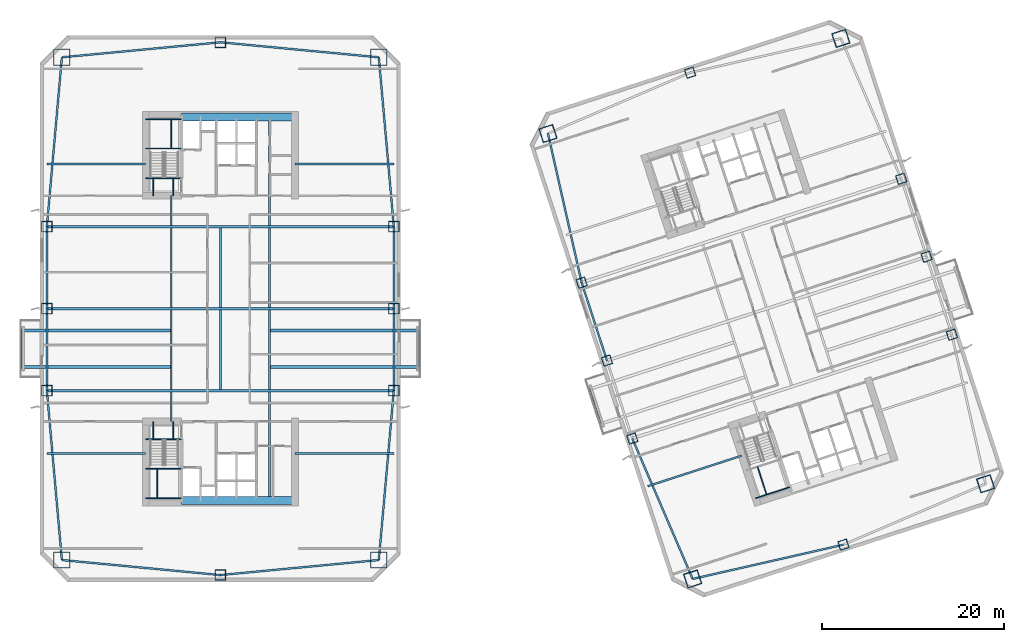
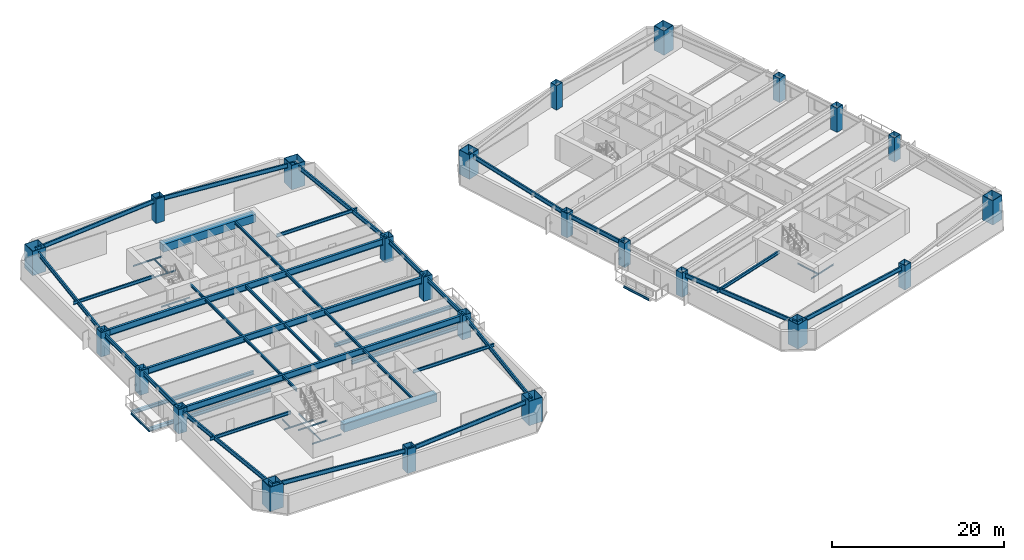
# One storey, part 1 of 18: 57 beams, 24 columns.
"""IFC4 building model written with IfcOpenShell, lengths in metres."""

from ifc_helpers import new_model, si_unit, direction, frame, origin, origin_2d, place, context, subcontext, project, spatial, rectangle, hollow_rectangle, i_section, extrude, material, material_profile, profile_set, type_object, element, save


model = new_model("IFC4")

# Units and contexts
model_context = context("Model", 3, precision=1e-05, world=origin(), true_north=direction((0.0, 1.0)))
body_context = subcontext(model_context, "Body", "Model", "MODEL_VIEW")
ifc_project = project(units=[si_unit("LENGTHUNIT", "METRE"), si_unit("AREAUNIT", "SQUARE_METRE"), si_unit("VOLUMEUNIT", "CUBIC_METRE"), si_unit("PLANEANGLEUNIT", "RADIAN"), si_unit("MASSUNIT", "GRAM", prefix="KILO")], contexts=[model_context])

# Site, building, storey
site_placement = place(None, origin())
site = spatial("IfcSite", under=ifc_project, at=site_placement, CompositionType="ELEMENT")
building_placement = place(site_placement, origin())
building = spatial("IfcBuilding", under=site, at=building_placement, Name="Qiaolan Cultural Towers", CompositionType="ELEMENT")
storey_placement = place(building_placement, frame((0.0, 0.0, 67.85009765625)))
storey = spatial("IfcBuildingStorey", under=building, at=storey_placement, Name="L16", CompositionType="ELEMENT", Elevation=67.85009765625)

# Columns
ifc_material_1 = material(Name="Steel Q355B", Category="steel")
ifc_material_profile_1 = material_profile(ifc_material_1, hollow_rectangle(XDim=1.0, YDim=1.0, WallThickness=0.035888671875, at=origin_2d()), Name="BOX1000x1000x36")
ifc_profile_set_1 = profile_set([ifc_material_profile_1], Name="Steel Q355B")
column_type_1 = type_object("IfcColumnType", Name="COL-BOX1000x1000x36", PredefinedType="COLUMN", material=ifc_profile_set_1)
for number, where, z_axis, x_axis, name in (
    (1, (75.234130859375, 19.739013671875, 0.0), (0.0, 0.0, 1.0), (0.951056516295, 0.309016994375, 0.0), "L16 T2 Perimeter Column PC-W1"),
    (2, (72.453125, 28.298583984375, 0.0), (0.0, 0.0, 1.0), (0.951056516295, 0.309016994375, 0.0), "L16 T2 Perimeter Column PC-W2"),
    (3, (69.671875, 36.858154296875, 0.0), (0.0, 0.0, 1.0), (0.951056516295, 0.309016994375, 0.0), "L16 T2 Perimeter Column PC-W3"),
    (4, (110.328125, 31.141845703125, 0.0), (0.0, 0.0, 1.0), (0.951056516295, 0.309016994375, 0.0), "L16 T2 Perimeter Column PC-E1"),
    (5, (107.546875, 39.701416015625, 0.0), (0.0, 0.0, 1.0), (0.951056516295, 0.309016994375, 0.0), "L16 T2 Perimeter Column PC-E2"),
    (6, (104.765869140625, 48.260986328125, 0.0), (0.0, 0.0, 1.0), (0.951056516295, 0.309016994375, 0.0), "L16 T2 Perimeter Column PC-E3"),
    (7, (98.420654296875, 8.083740234375, 0.0), (0.0, 0.0, 1.0), (0.951056516295, 0.309016994375, 0.0), "L16 T2 Perimeter Column PC-S0"),
    (8, (81.579345703125, 59.916259765625, 0.0), (0.0, 0.0, 1.0), (0.951056516295, 0.309016994375, 0.0), "L16 T2 Perimeter Column PC-N0"),
):
    element("IfcColumn", number, at=place(storey_placement, frame(where, z_axis=z_axis, x_axis=x_axis)), inside=storey, type_object=column_type_1, Name=name, PredefinedType="COLUMN", context=body_context, shape_type="SweptSolid", body=[
        extrude(hollow_rectangle(XDim=1.0, YDim=1.0, WallThickness=0.035888671875, at=origin_2d()), origin(), (0.0, 0.0, 1.0), 3.450927734375),
    ])
ifc_material_2 = material(Name="Steel Q390GJB", Category="steel")
ifc_material_profile_2 = material_profile(ifc_material_2, hollow_rectangle(XDim=1.14990234375, YDim=1.14990234375, WallThickness=0.0400390625, at=origin_2d()), Name="BOX1150x1150x40")
ifc_profile_set_2 = profile_set([ifc_material_profile_2], Name="Steel Q390GJB")
column_type_2 = type_object("IfcColumnType", Name="COL-BOX1150x1150x40", PredefinedType="COLUMN", material=ifc_profile_set_2)
for number, where, z_axis, x_axis, name in (
    (9, (10.949951171875, 25.0, 0.0), (0.0, 0.0, 1.0), (1.0, 0.0, 0.0), "L16 T1 Perimeter Column PC-W1"),
    (10, (10.949951171875, 34.0, 0.0), (0.0, 0.0, 1.0), (1.0, 0.0, 0.0), "L16 T1 Perimeter Column PC-W2"),
    (11, (10.949951171875, 43.0, 0.0), (0.0, 0.0, 1.0), (1.0, 0.0, 0.0), "L16 T1 Perimeter Column PC-W3"),
    (12, (49.050048828125, 25.0, 0.0), (0.0, 0.0, 1.0), (1.0, 0.0, 0.0), "L16 T1 Perimeter Column PC-E1"),
    (13, (49.050048828125, 34.0, 0.0), (0.0, 0.0, 1.0), (1.0, 0.0, 0.0), "L16 T1 Perimeter Column PC-E2"),
    (14, (49.050048828125, 43.0, 0.0), (0.0, 0.0, 1.0), (1.0, 0.0, 0.0), "L16 T1 Perimeter Column PC-E3"),
    (15, (30.0, 4.75, 0.0), (0.0, 0.0, 1.0), (1.0, 0.0, 0.0), "L16 T1 Perimeter Column PC-S0"),
    (16, (30.0, 63.25, 0.0), (0.0, 0.0, 1.0), (1.0, 0.0, 0.0), "L16 T1 Perimeter Column PC-N0"),
):
    element("IfcColumn", number, at=place(storey_placement, frame(where, z_axis=z_axis, x_axis=x_axis)), inside=storey, type_object=column_type_2, Name=name, PredefinedType="COLUMN", context=body_context, shape_type="SweptSolid", body=[
        extrude(hollow_rectangle(XDim=1.14990234375, YDim=1.14990234375, WallThickness=0.0400390625, at=origin_2d()), origin(), (0.0, 0.0, 1.0), 3.450927734375),
    ])
ifc_material_3 = material(Name="Steel Q420GJB", Category="steel")
ifc_material_profile_3 = material_profile(ifc_material_3, hollow_rectangle(XDim=1.60009765625, YDim=1.60009765625, WallThickness=0.054931640625, at=origin_2d()), Name="BOX1600x1600x55")
ifc_profile_set_3 = profile_set([ifc_material_profile_3], Name="Steel Q420GJB")
column_type_3 = type_object("IfcColumnType", Name="COL-BOX1600x1600x55", PredefinedType="COLUMN", material=ifc_profile_set_3)
for number, where, z_axis, x_axis, name in (
    (17, (81.862548828125, 4.32275390625, 0.0), (0.0, 0.0, 1.0), (0.951056516295, 0.309016994375, 0.0), "L16 T2 Perimeter Column MC-SW"),
    (18, (114.027099609375, 14.77392578125, 0.0), (0.0, 0.0, 1.0), (0.951056516295, 0.309016994375, 0.0), "L16 T2 Perimeter Column MC-SE"),
    (19, (98.137451171875, 63.67724609375, 0.0), (0.0, 0.0, 1.0), (0.951056516295, 0.309016994375, 0.0), "L16 T2 Perimeter Column MC-NE"),
    (20, (65.972900390625, 53.22607421875, 0.0), (0.0, 0.0, 1.0), (0.951056516295, 0.309016994375, 0.0), "L16 T2 Perimeter Column MC-NW"),
):
    element("IfcColumn", number, at=place(storey_placement, frame(where, z_axis=z_axis, x_axis=x_axis)), inside=storey, type_object=column_type_3, Name=name, PredefinedType="COLUMN", context=body_context, shape_type="SweptSolid", body=[
        extrude(hollow_rectangle(XDim=1.60009765625, YDim=1.60009765625, WallThickness=0.054931640625, at=origin_2d()), origin(), (0.0, 0.0, 1.0), 3.450927734375),
    ])
ifc_material_4 = material(Name="Steel Q420GJB", Category="steel")
ifc_material_profile_4 = material_profile(ifc_material_4, hollow_rectangle(XDim=1.800048828125, YDim=1.800048828125, WallThickness=0.06005859375, at=origin_2d()), Name="BOX1800x1800x60")
ifc_profile_set_4 = profile_set([ifc_material_profile_4], Name="Steel Q420GJB")
column_type_4 = type_object("IfcColumnType", Name="COL-BOX1800x1800x60", PredefinedType="COLUMN", material=ifc_profile_set_4)
for number, where, z_axis, x_axis, name in (
    (21, (12.60009765625, 6.39990234375, 0.0), (0.0, 0.0, 1.0), (1.0, 0.0, 0.0), "L16 T1 Perimeter Column MC-SW"),
    (22, (47.39990234375, 6.39990234375, 0.0), (0.0, 0.0, 1.0), (1.0, 0.0, 0.0), "L16 T1 Perimeter Column MC-SE"),
    (23, (47.39990234375, 61.60009765625, 0.0), (0.0, 0.0, 1.0), (1.0, 0.0, 0.0), "L16 T1 Perimeter Column MC-NE"),
    (24, (12.60009765625, 61.60009765625, 0.0), (0.0, 0.0, 1.0), (1.0, 0.0, 0.0), "L16 T1 Perimeter Column MC-NW"),
):
    element("IfcColumn", number, at=place(storey_placement, frame(where, z_axis=z_axis, x_axis=x_axis)), inside=storey, type_object=column_type_4, Name=name, PredefinedType="COLUMN", context=body_context, shape_type="SweptSolid", body=[
        extrude(hollow_rectangle(XDim=1.800048828125, YDim=1.800048828125, WallThickness=0.06005859375, at=origin_2d()), origin(), (0.0, 0.0, 1.0), 3.450927734375),
    ])

# Beams
ifc_material_5 = material(Name="Steel Q355B", Category="steel")
ifc_material_profile_5 = material_profile(ifc_material_5, i_section(OverallWidth=0.300048828125, OverallDepth=0.488037109375, WebThickness=0.010986328125, FlangeThickness=0.01806640625, at=origin_2d()), Name="HM488x300x11x18")
ifc_profile_set_5 = profile_set([ifc_material_profile_5], Name="Steel Q355B")
beam_type_1 = type_object("IfcBeamType", Name="BM-HM488x300x11x18", PredefinedType="BEAM", material=ifc_profile_set_5)
for number, where, z_axis, x_axis, name in (
    (25, (24.60009765625, 27.60009765625, -0.524169921875), (-1.0, 0.0, 0.0), (0.0, -1.0, 0.0), "L16 T1 Tree Balcony Back-Spanned Bracket Beam"),
    (26, (24.60009765625, 31.60009765625, -0.524169921875), (-1.0, 0.0, 0.0), (0.0, -1.0, 0.0), "L16 T1 Tree Balcony Back-Spanned Bracket Beam"),
    (27, (35.39990234375, 27.60009765625, -0.524169921875), (1.0, 0.0, 0.0), (0.0, 1.0, 0.0), "L16 T1 Tree Balcony Back-Spanned Bracket Beam"),
    (28, (35.39990234375, 31.60009765625, -0.524169921875), (1.0, 0.0, 0.0), (0.0, 1.0, 0.0), "L16 T1 Tree Balcony Back-Spanned Bracket Beam"),
):
    element("IfcBeam", number, at=place(storey_placement, frame(where, z_axis=z_axis, x_axis=x_axis)), inside=storey, type_object=beam_type_1, Name=name, PredefinedType="BEAM", context=body_context, shape_type="SweptSolid", body=[
        extrude(i_section(OverallWidth=0.300048828125, OverallDepth=0.488037109375, WebThickness=0.010986328125, FlangeThickness=0.01806640625, at=origin_2d()), origin(), (0.0, 0.0, 1.0), 16.4501953125),
    ])
ifc_material_6 = material(Name="Steel Q355B", Category="steel")
ifc_material_profile_6 = material_profile(ifc_material_6, i_section(OverallWidth=0.300048828125, OverallDepth=0.89990234375, WebThickness=0.01611328125, FlangeThickness=0.028076171875, at=origin_2d()), Name="HN900x300x16x28")
ifc_profile_set_6 = profile_set([ifc_material_profile_6], Name="Steel Q355B")
beam_type_2 = type_object("IfcBeamType", Name="BM-HN900x300x16x28", PredefinedType="BEAM", material=ifc_profile_set_6)
for number, where, z_axis, x_axis, name in (
    (29, (10.949951171875, 25.0, 2.739990234375), (1.0, 0.0, 0.0), (0.0, 1.0, 0.0), "L16 T1 Primary Transverse Girder V1"),
    (30, (10.949951171875, 34.0, 2.739990234375), (1.0, 0.0, 0.0), (0.0, 1.0, 0.0), "L16 T1 Primary Transverse Girder V2"),
    (31, (10.949951171875, 43.0, 2.739990234375), (1.0, 0.0, 0.0), (0.0, 1.0, 0.0), "L16 T1 Primary Transverse Girder V3"),
):
    element("IfcBeam", number, at=place(storey_placement, frame(where, z_axis=z_axis, x_axis=x_axis)), inside=storey, type_object=beam_type_2, Name=name, PredefinedType="BEAM", context=body_context, shape_type="SweptSolid", body=[
        extrude(i_section(OverallWidth=0.300048828125, OverallDepth=0.89990234375, WebThickness=0.01611328125, FlangeThickness=0.028076171875, at=origin_2d()), origin(), (0.0, 0.0, 1.0), 38.10009765625),
    ])
ifc_material_7 = material(Name="Steel Q355B", Category="steel")
ifc_material_profile_7 = material_profile(ifc_material_7, i_section(OverallWidth=0.175048828125, OverallDepth=0.35009765625, WebThickness=0.007080078125, FlangeThickness=0.010986328125, at=origin_2d()), Name="HN350x175x7x11")
ifc_profile_set_7 = profile_set([ifc_material_profile_7], Name="Steel Q355B")
beam_type_3 = type_object("IfcBeamType", Name="BM-JST-HN350x175x7x11", PredefinedType="JOIST", material=ifc_profile_set_7)
for number, where, z_axis, x_axis, name in (
    (32, (8.14990234375, 27.60009765625, -0.524169921875), (0.0, 1.0, 0.0), (-1.0, 0.0, 0.0), "L16 T1 Tree Balcony Outer Edge Beam"),
    (33, (51.85009765625, 27.60009765625, -0.524169921875), (0.0, 1.0, 0.0), (-1.0, 0.0, 0.0), "L16 T1 Tree Balcony Outer Edge Beam"),
    (34, (71.767822265625, 21.3466796875, -0.524169921875), (-0.309022586479, 0.951054699292, 0.0), (-0.951054699292, -0.309022586479, 0.0), "L16 T2 Tree Balcony Outer Edge Beam"),
):
    element("IfcBeam", number, at=place(storey_placement, frame(where, z_axis=z_axis, x_axis=x_axis)), inside=storey, type_object=beam_type_3, Name=name, PredefinedType="JOIST", context=body_context, shape_type="SweptSolid", body=[
        extrude(i_section(OverallWidth=0.175048828125, OverallDepth=0.35009765625, WebThickness=0.007080078125, FlangeThickness=0.010986328125, at=origin_2d()), origin(), (0.0, 0.0, 1.0), 4.0),
    ])
ifc_material_8 = material(Name="Steel Q355B", Category="steel")
ifc_material_profile_8 = material_profile(ifc_material_8, i_section(OverallWidth=0.199951171875, OverallDepth=0.39990234375, WebThickness=0.008056640625, FlangeThickness=0.012939453125, at=origin_2d()), Name="HN400x200x8x13")
ifc_profile_set_8 = profile_set([ifc_material_profile_8], Name="Steel Q355B")
beam_type_4 = type_object("IfcBeamType", Name="BM-JST-HN400x200x8x13", PredefinedType="JOIST", material=ifc_profile_set_8)
beam_1_placement = place(storey_placement, frame((24.60009765625, 21.60009765625, 2.989990234375), z_axis=(0.0, 1.0, 0.0), x_axis=(-1.0, 0.0, 0.0)))
element("IfcBeam", 35, at=beam_1_placement, inside=storey, type_object=beam_type_4, Name="L16 T1 Secondary Floor Joist U1-1", PredefinedType="JOIST", context=body_context, shape_type="SweptSolid", body=[
    extrude(i_section(OverallWidth=0.199951171875, OverallDepth=0.39990234375, WebThickness=0.008056640625, FlangeThickness=0.012939453125, at=origin_2d()), origin(), (0.0, 0.0, 1.0), 3.25),
])
for number, where, z_axis, x_axis, name in (
    (36, (24.60009765625, 25.14990234375, 2.989990234375), (0.0, 1.0, 0.0), (-1.0, 0.0, 0.0), "L16 T1 Secondary Floor Joist U1-2"),
    (37, (24.60009765625, 34.14990234375, 2.989990234375), (0.0, 1.0, 0.0), (-1.0, 0.0, 0.0), "L16 T1 Secondary Floor Joist U1-3"),
):
    element("IfcBeam", number, at=place(storey_placement, frame(where, z_axis=z_axis, x_axis=x_axis)), inside=storey, type_object=beam_type_4, Name=name, PredefinedType="JOIST", context=body_context, shape_type="SweptSolid", body=[
        extrude(i_section(OverallWidth=0.199951171875, OverallDepth=0.39990234375, WebThickness=0.008056640625, FlangeThickness=0.012939453125, at=origin_2d()), origin(), (0.0, 0.0, 1.0), 8.7001953125),
    ])
beam_2_placement = place(storey_placement, frame((24.60009765625, 43.14990234375, 2.989990234375), z_axis=(0.0, 1.0, 0.0), x_axis=(-1.0, 0.0, 0.0)))
element("IfcBeam", 38, at=beam_2_placement, inside=storey, type_object=beam_type_4, Name="L16 T1 Secondary Floor Joist U1-4", PredefinedType="JOIST", context=body_context, shape_type="SweptSolid", body=[
    extrude(i_section(OverallWidth=0.199951171875, OverallDepth=0.39990234375, WebThickness=0.008056640625, FlangeThickness=0.012939453125, at=origin_2d()), origin(), (0.0, 0.0, 1.0), 3.25),
])
for number, where, z_axis, x_axis, name in (
    (39, (30.0, 25.14990234375, 2.989990234375), (0.0, 1.0, 0.0), (-1.0, 0.0, 0.0), "L16 T1 Secondary Floor Joist U2-2"),
    (40, (30.0, 34.14990234375, 2.989990234375), (0.0, 1.0, 0.0), (-1.0, 0.0, 0.0), "L16 T1 Secondary Floor Joist U2-3"),
):
    element("IfcBeam", number, at=place(storey_placement, frame(where, z_axis=z_axis, x_axis=x_axis)), inside=storey, type_object=beam_type_4, Name=name, PredefinedType="JOIST", context=body_context, shape_type="SweptSolid", body=[
        extrude(i_section(OverallWidth=0.199951171875, OverallDepth=0.39990234375, WebThickness=0.008056640625, FlangeThickness=0.012939453125, at=origin_2d()), origin(), (0.0, 0.0, 1.0), 8.7001953125),
    ])
beam_3_placement = place(storey_placement, frame((35.39990234375, 13.39990234375, 2.989990234375), z_axis=(0.0, 1.0, 0.0), x_axis=(-1.0, 0.0, 0.0)))
element("IfcBeam", 41, at=beam_3_placement, inside=storey, type_object=beam_type_4, Name="L16 T1 Secondary Floor Joist U3-1", PredefinedType="JOIST", context=body_context, shape_type="SweptSolid", body=[
    extrude(i_section(OverallWidth=0.199951171875, OverallDepth=0.39990234375, WebThickness=0.008056640625, FlangeThickness=0.012939453125, at=origin_2d()), origin(), (0.0, 0.0, 1.0), 11.4501953125),
])
for number, where, z_axis, x_axis, name in (
    (42, (35.39990234375, 25.14990234375, 2.989990234375), (0.0, 1.0, 0.0), (-1.0, 0.0, 0.0), "L16 T1 Secondary Floor Joist U3-2"),
    (43, (35.39990234375, 34.14990234375, 2.989990234375), (0.0, 1.0, 0.0), (-1.0, 0.0, 0.0), "L16 T1 Secondary Floor Joist U3-3"),
):
    element("IfcBeam", number, at=place(storey_placement, frame(where, z_axis=z_axis, x_axis=x_axis)), inside=storey, type_object=beam_type_4, Name=name, PredefinedType="JOIST", context=body_context, shape_type="SweptSolid", body=[
        extrude(i_section(OverallWidth=0.199951171875, OverallDepth=0.39990234375, WebThickness=0.008056640625, FlangeThickness=0.012939453125, at=origin_2d()), origin(), (0.0, 0.0, 1.0), 8.7001953125),
    ])
beam_4_placement = place(storey_placement, frame((35.39990234375, 43.14990234375, 2.989990234375), z_axis=(0.0, 1.0, 0.0), x_axis=(-1.0, 0.0, 0.0)))
element("IfcBeam", 44, at=beam_4_placement, inside=storey, type_object=beam_type_4, Name="L16 T1 Secondary Floor Joist U3-4", PredefinedType="JOIST", context=body_context, shape_type="SweptSolid", body=[
    extrude(i_section(OverallWidth=0.199951171875, OverallDepth=0.39990234375, WebThickness=0.008056640625, FlangeThickness=0.012939453125, at=origin_2d()), origin(), (0.0, 0.0, 1.0), 11.4501953125),
])
ifc_material_9 = material(Name="Steel Q355B", Category="steel")
ifc_material_profile_9 = material_profile(ifc_material_9, i_section(OverallWidth=0.199951171875, OverallDepth=0.449951171875, WebThickness=0.009033203125, FlangeThickness=0.013916015625, at=origin_2d()), Name="HN450x200x9x14")
ifc_profile_set_9 = profile_set([ifc_material_profile_9], Name="Steel Q355B")
beam_type_5 = type_object("IfcBeamType", Name="BM-LNT-HN450x200x9x14", PredefinedType="LINTEL", material=ifc_profile_set_9)
for number, where, z_axis, x_axis, name in (
    (45, (21.800048828125, 18.10009765625, 2.96484375), (-1.0, 0.0, 0.0), (0.0, -1.0, 0.0), "L16 T1 Core Flank Tie Lintel WS"),
    (46, (21.800048828125, 49.89990234375, 2.96484375), (-1.0, 0.0, 0.0), (0.0, -1.0, 0.0), "L16 T1 Core Flank Tie Lintel WN"),
    (47, (38.199951171875, 18.10009765625, 2.96484375), (1.0, 0.0, 0.0), (0.0, 1.0, 0.0), "L16 T1 Core Flank Tie Lintel ES"),
    (48, (38.199951171875, 49.89990234375, 2.96484375), (1.0, 0.0, 0.0), (0.0, 1.0, 0.0), "L16 T1 Core Flank Tie Lintel EN"),
):
    element("IfcBeam", number, at=place(storey_placement, frame(where, z_axis=z_axis, x_axis=x_axis)), inside=storey, type_object=beam_type_5, Name=name, PredefinedType="LINTEL", context=body_context, shape_type="SweptSolid", body=[
        extrude(i_section(OverallWidth=0.199951171875, OverallDepth=0.449951171875, WebThickness=0.009033203125, FlangeThickness=0.013916015625, at=origin_2d()), origin(), (0.0, 0.0, 1.0), 10.85009765625),
    ])
beam_5_placement = place(storey_placement, frame((87.252685546875, 17.861083984375, 2.96484375), z_axis=(-0.95105688584, -0.30901585703, 0.0), x_axis=(0.30901585703, -0.95105688584, 0.0)))
element("IfcBeam", 49, at=beam_5_placement, inside=storey, type_object=beam_type_5, Name="L16 T2 Core Flank Tie Lintel WS", PredefinedType="LINTEL", context=body_context, shape_type="SweptSolid", body=[
    extrude(i_section(OverallWidth=0.199951171875, OverallDepth=0.449951171875, WebThickness=0.009033203125, FlangeThickness=0.013916015625, at=origin_2d()), origin(), (0.0, 0.0, 1.0), 10.849853515625),
])
ifc_material_10 = material(Name="Concrete C50", Category="concrete")
ifc_material_profile_10 = material_profile(ifc_material_10, rectangle(XDim=0.89990234375, YDim=1.10009765625, at=origin_2d()), Name="RC900x1100")
ifc_profile_set_10 = profile_set([ifc_material_profile_10], Name="Concrete C50")
beam_type_6 = type_object("IfcBeamType", Name="BM-RC900x1100", PredefinedType="BEAM", material=ifc_profile_set_10)
for number, where, z_axis, x_axis, name in (
    (50, (25.719970703125, 12.949951171875, 2.639892578125), (1.0, 0.0, 0.0), (0.0, 1.0, 0.0), "L16 T1 Core Header Girder S"),
    (51, (25.719970703125, 55.050048828125, 2.639892578125), (1.0, 0.0, 0.0), (0.0, 1.0, 0.0), "L16 T1 Core Header Girder N"),
):
    element("IfcBeam", number, at=place(storey_placement, frame(where, z_axis=z_axis, x_axis=x_axis)), inside=storey, type_object=beam_type_6, Name=name, PredefinedType="BEAM", context=body_context, shape_type="SweptSolid", body=[
        extrude(rectangle(XDim=0.89990234375, YDim=1.10009765625, at=origin_2d()), origin(), (0.0, 0.0, 1.0), 12.47998046875),
    ])
ifc_material_11 = material(Name="Steel Q355B", Category="steel")
ifc_material_profile_11 = material_profile(ifc_material_11, i_section(OverallWidth=0.199951171875, OverallDepth=0.60009765625, WebThickness=0.010986328125, FlangeThickness=0.01708984375, at=origin_2d()), Name="HN600x200x11x17")
ifc_profile_set_11 = profile_set([ifc_material_profile_11], Name="Steel Q355B")
beam_type_7 = type_object("IfcBeamType", Name="BM-SPD-HN600x200x11x17", PredefinedType="SPANDREL", material=ifc_profile_set_11)
for number, where, z_axis, x_axis, name in (
    (52, (12.60009765625, 6.39990234375, 2.889892578125), (0.995534437156, -0.094399070104, 0.0), (0.094399070104, 0.995534437156, 0.0), "L16 T1 Perimeter Spandrel Beam 1"),
    (53, (30.0, 4.75, 2.889892578125), (0.995534437156, 0.094399070104, 0.0), (-0.094399070104, 0.995534437156, 0.0), "L16 T1 Perimeter Spandrel Beam 2"),
):
    element("IfcBeam", number, at=place(storey_placement, frame(where, z_axis=z_axis, x_axis=x_axis)), inside=storey, type_object=beam_type_7, Name=name, PredefinedType="SPANDREL", context=body_context, shape_type="SweptSolid", body=[
        extrude(i_section(OverallWidth=0.199951171875, OverallDepth=0.60009765625, WebThickness=0.010986328125, FlangeThickness=0.01708984375, at=origin_2d()), origin(), (0.0, 0.0, 1.0), 17.47802734375),
    ])
beam_6_placement = place(storey_placement, frame((47.39990234375, 6.39990234375, 2.889892578125), z_axis=(0.08837000091, 0.996087718496, 0.0), x_axis=(-0.996087718496, 0.08837000091, 0.0)))
element("IfcBeam", 54, at=beam_6_placement, inside=storey, type_object=beam_type_7, Name="L16 T1 Perimeter Spandrel Beam 3", PredefinedType="SPANDREL", context=body_context, shape_type="SweptSolid", body=[
    extrude(i_section(OverallWidth=0.199951171875, OverallDepth=0.60009765625, WebThickness=0.010986328125, FlangeThickness=0.01708984375, at=origin_2d()), origin(), (0.0, 0.0, 1.0), 18.673095703125),
])
for number, where, z_axis, x_axis, name in (
    (55, (49.050048828125, 25.0, 2.889892578125), (0.0, 1.0, 0.0), (-1.0, 0.0, 0.0), "L16 T1 Perimeter Spandrel Beam 4"),
    (56, (49.050048828125, 34.0, 2.889892578125), (0.0, 1.0, 0.0), (-1.0, 0.0, 0.0), "L16 T1 Perimeter Spandrel Beam 5"),
):
    element("IfcBeam", number, at=place(storey_placement, frame(where, z_axis=z_axis, x_axis=x_axis)), inside=storey, type_object=beam_type_7, Name=name, PredefinedType="SPANDREL", context=body_context, shape_type="SweptSolid", body=[
        extrude(i_section(OverallWidth=0.199951171875, OverallDepth=0.60009765625, WebThickness=0.010986328125, FlangeThickness=0.01708984375, at=origin_2d()), origin(), (0.0, 0.0, 1.0), 9.0),
    ])
beam_7_placement = place(storey_placement, frame((49.050048828125, 43.0, 2.889892578125), z_axis=(-0.08837000091, 0.996087718496, 0.0), x_axis=(-0.996087718496, -0.08837000091, 0.0)))
element("IfcBeam", 57, at=beam_7_placement, inside=storey, type_object=beam_type_7, Name="L16 T1 Perimeter Spandrel Beam 6", PredefinedType="SPANDREL", context=body_context, shape_type="SweptSolid", body=[
    extrude(i_section(OverallWidth=0.199951171875, OverallDepth=0.60009765625, WebThickness=0.010986328125, FlangeThickness=0.01708984375, at=origin_2d()), origin(), (0.0, 0.0, 1.0), 18.673095703125),
])
for number, where, z_axis, x_axis, name in (
    (58, (47.39990234375, 61.60009765625, 2.889892578125), (-0.995534437156, 0.094399070104, 0.0), (-0.094399070104, -0.995534437156, 0.0), "L16 T1 Perimeter Spandrel Beam 7"),
    (59, (30.0, 63.25, 2.889892578125), (-0.995534437156, -0.094399070104, 0.0), (0.094399070104, -0.995534437156, 0.0), "L16 T1 Perimeter Spandrel Beam 8"),
):
    element("IfcBeam", number, at=place(storey_placement, frame(where, z_axis=z_axis, x_axis=x_axis)), inside=storey, type_object=beam_type_7, Name=name, PredefinedType="SPANDREL", context=body_context, shape_type="SweptSolid", body=[
        extrude(i_section(OverallWidth=0.199951171875, OverallDepth=0.60009765625, WebThickness=0.010986328125, FlangeThickness=0.01708984375, at=origin_2d()), origin(), (0.0, 0.0, 1.0), 17.47802734375),
    ])
beam_8_placement = place(storey_placement, frame((12.60009765625, 61.60009765625, 2.889892578125), z_axis=(-0.08837000091, -0.996087718496, 0.0), x_axis=(0.996087718496, -0.08837000091, 0.0)))
element("IfcBeam", 60, at=beam_8_placement, inside=storey, type_object=beam_type_7, Name="L16 T1 Perimeter Spandrel Beam 9", PredefinedType="SPANDREL", context=body_context, shape_type="SweptSolid", body=[
    extrude(i_section(OverallWidth=0.199951171875, OverallDepth=0.60009765625, WebThickness=0.010986328125, FlangeThickness=0.01708984375, at=origin_2d()), origin(), (0.0, 0.0, 1.0), 18.673095703125),
])
for number, where, z_axis, x_axis, name in (
    (61, (10.949951171875, 43.0, 2.889892578125), (0.0, -1.0, 0.0), (1.0, 0.0, 0.0), "L16 T1 Perimeter Spandrel Beam 10"),
    (62, (10.949951171875, 34.0, 2.889892578125), (0.0, -1.0, 0.0), (1.0, 0.0, 0.0), "L16 T1 Perimeter Spandrel Beam 11"),
):
    element("IfcBeam", number, at=place(storey_placement, frame(where, z_axis=z_axis, x_axis=x_axis)), inside=storey, type_object=beam_type_7, Name=name, PredefinedType="SPANDREL", context=body_context, shape_type="SweptSolid", body=[
        extrude(i_section(OverallWidth=0.199951171875, OverallDepth=0.60009765625, WebThickness=0.010986328125, FlangeThickness=0.01708984375, at=origin_2d()), origin(), (0.0, 0.0, 1.0), 9.0),
    ])
beam_9_placement = place(storey_placement, frame((10.949951171875, 25.0, 2.889892578125), z_axis=(0.08837000091, -0.996087718496, 0.0), x_axis=(0.996087718496, 0.08837000091, 0.0)))
element("IfcBeam", 63, at=beam_9_placement, inside=storey, type_object=beam_type_7, Name="L16 T1 Perimeter Spandrel Beam 12", PredefinedType="SPANDREL", context=body_context, shape_type="SweptSolid", body=[
    extrude(i_section(OverallWidth=0.199951171875, OverallDepth=0.60009765625, WebThickness=0.010986328125, FlangeThickness=0.01708984375, at=origin_2d()), origin(), (0.0, 0.0, 1.0), 18.673095703125),
])
beam_10_placement = place(storey_placement, frame((81.862548828125, 4.32275390625, 2.889892578125), z_axis=(0.975161095889, 0.221496810506, 0.0), x_axis=(-0.221496810506, 0.975161095889, 0.0)))
element("IfcBeam", 64, at=beam_10_placement, inside=storey, type_object=beam_type_7, Name="L16 T2 Perimeter Spandrel Beam 1", PredefinedType="SPANDREL", context=body_context, shape_type="SweptSolid", body=[
    extrude(i_section(OverallWidth=0.199951171875, OverallDepth=0.60009765625, WebThickness=0.010986328125, FlangeThickness=0.01708984375, at=origin_2d()), origin(), (0.0, 0.0, 1.0), 16.97998046875),
])
beam_11_placement = place(storey_placement, frame((65.972900390625, 53.22607421875, 2.889892578125), z_axis=(0.220430557386, -0.975402670373, 0.0), x_axis=(0.975402670373, 0.220430557386, 0.0)))
element("IfcBeam", 65, at=beam_11_placement, inside=storey, type_object=beam_type_7, Name="L16 T2 Perimeter Spandrel Beam 9", PredefinedType="SPANDREL", context=body_context, shape_type="SweptSolid", body=[
    extrude(i_section(OverallWidth=0.199951171875, OverallDepth=0.60009765625, WebThickness=0.010986328125, FlangeThickness=0.01708984375, at=origin_2d()), origin(), (0.0, 0.0, 1.0), 16.78076171875),
])
beam_12_placement = place(storey_placement, frame((69.671875, 36.858154296875, 2.889892578125), z_axis=(0.309024734286, -0.951054001411, 0.0), x_axis=(0.951054001411, 0.309024734286, 0.0)))
element("IfcBeam", 66, at=beam_12_placement, inside=storey, type_object=beam_type_7, Name="L16 T2 Perimeter Spandrel Beam 10", PredefinedType="SPANDREL", context=body_context, shape_type="SweptSolid", body=[
    extrude(i_section(OverallWidth=0.199951171875, OverallDepth=0.60009765625, WebThickness=0.010986328125, FlangeThickness=0.01708984375, at=origin_2d()), origin(), (0.0, 0.0, 1.0), 9.0),
])
beam_13_placement = place(storey_placement, frame((75.234130859375, 19.739013671875, 2.889892578125), z_axis=(0.394998896054, -0.918681594524, 0.0), x_axis=(0.918681594524, 0.394998896054, 0.0)))
element("IfcBeam", 67, at=beam_13_placement, inside=storey, type_object=beam_type_7, Name="L16 T2 Perimeter Spandrel Beam 12", PredefinedType="SPANDREL", context=body_context, shape_type="SweptSolid", body=[
    extrude(i_section(OverallWidth=0.199951171875, OverallDepth=0.60009765625, WebThickness=0.010986328125, FlangeThickness=0.01708984375, at=origin_2d()), origin(), (0.0, 0.0, 1.0), 16.78076171875),
])
ifc_material_12 = material(Name="Steel Q355B", Category="steel")
ifc_material_profile_12 = material_profile(ifc_material_12, i_section(OverallWidth=0.10009765625, OverallDepth=0.199951171875, WebThickness=0.005615234375, FlangeThickness=0.008056640625, at=origin_2d()), Name="HN200x100x5.5x8")
ifc_profile_set_12 = profile_set([ifc_material_profile_12], Name="Steel Q355B")
beam_type_8 = type_object("IfcBeamType", Name="BM-STTRIM-200", PredefinedType="BEAM", material=ifc_profile_set_12)
beam_14_placement = place(storey_placement, frame((21.800048828125, 19.659912109375, -0.460205078125), z_axis=(1.0, 0.0, 0.0), x_axis=(0.0, 1.0, 0.0)))
element("IfcBeam", 68, at=beam_14_placement, inside=storey, type_object=beam_type_8, Name="L16 ST-W1 Floor Landing Header Beam", PredefinedType="BEAM", context=body_context, shape_type="SweptSolid", body=[
    extrude(i_section(OverallWidth=0.10009765625, OverallDepth=0.199951171875, WebThickness=0.005615234375, FlangeThickness=0.008056640625, at=origin_2d()), origin(), (0.0, 0.0, 1.0), 3.919921875),
])
for number, where, z_axis, x_axis, name in (
    (69, (22.64990234375, 21.60009765625, -0.460205078125), (0.0, -1.0, 0.0), (1.0, 0.0, 0.0), "L16 ST-W1 Floor Landing Stringer 1"),
    (70, (24.85009765625, 21.60009765625, -0.460205078125), (0.0, -1.0, 0.0), (1.0, 0.0, 0.0), "L16 ST-W1 Floor Landing Stringer 2"),
):
    element("IfcBeam", number, at=place(storey_placement, frame(where, z_axis=z_axis, x_axis=x_axis)), inside=storey, type_object=beam_type_8, Name=name, PredefinedType="BEAM", context=body_context, shape_type="SweptSolid", body=[
        extrude(i_section(OverallWidth=0.10009765625, OverallDepth=0.199951171875, WebThickness=0.005615234375, FlangeThickness=0.008056640625, at=origin_2d()), origin(), (0.0, 0.0, 1.0), 1.940185546875),
    ])
for number, where, z_axis, x_axis, name in (
    (71, (21.800048828125, 16.411376953125, 1.4248046875), (1.0, 0.0, 0.0), (0.0, 1.0, 0.0), "L16 ST-W1 Stair Landing Support Beam 1-1"),
    (72, (21.800048828125, 13.179931640625, 1.4248046875), (1.0, 0.0, 0.0), (0.0, 1.0, 0.0), "L16 ST-W1 Stair Landing Support Beam 1-2"),
):
    element("IfcBeam", number, at=place(storey_placement, frame(where, z_axis=z_axis, x_axis=x_axis)), inside=storey, type_object=beam_type_8, Name=name, PredefinedType="BEAM", context=body_context, shape_type="SweptSolid", body=[
        extrude(i_section(OverallWidth=0.10009765625, OverallDepth=0.199951171875, WebThickness=0.005615234375, FlangeThickness=0.008056640625, at=origin_2d()), origin(), (0.0, 0.0, 1.0), 3.919921875),
    ])
beam_15_placement = place(storey_placement, frame((23.070068359375, 16.411376953125, 1.4248046875), z_axis=(0.0, -1.0, 0.0), x_axis=(1.0, 0.0, 0.0)))
element("IfcBeam", 73, at=beam_15_placement, inside=storey, type_object=beam_type_8, Name="L16 ST-W1 Stair Landing Trimmer 1", PredefinedType="BEAM", context=body_context, shape_type="SweptSolid", body=[
    extrude(i_section(OverallWidth=0.10009765625, OverallDepth=0.199951171875, WebThickness=0.005615234375, FlangeThickness=0.008056640625, at=origin_2d()), origin(), (0.0, 0.0, 1.0), 3.2314453125),
])
beam_16_placement = place(storey_placement, frame((21.800048828125, 48.340087890625, -0.460205078125), z_axis=(1.0, 0.0, 0.0), x_axis=(0.0, 1.0, 0.0)))
element("IfcBeam", 74, at=beam_16_placement, inside=storey, type_object=beam_type_8, Name="L16 ST-W2 Floor Landing Header Beam", PredefinedType="BEAM", context=body_context, shape_type="SweptSolid", body=[
    extrude(i_section(OverallWidth=0.10009765625, OverallDepth=0.199951171875, WebThickness=0.005615234375, FlangeThickness=0.008056640625, at=origin_2d()), origin(), (0.0, 0.0, 1.0), 3.919921875),
])
for number, where, z_axis, x_axis, name in (
    (75, (22.64990234375, 46.39990234375, -0.460205078125), (0.0, 1.0, 0.0), (-1.0, 0.0, 0.0), "L16 ST-W2 Floor Landing Stringer 1"),
    (76, (24.85009765625, 46.39990234375, -0.460205078125), (0.0, 1.0, 0.0), (-1.0, 0.0, 0.0), "L16 ST-W2 Floor Landing Stringer 2"),
):
    element("IfcBeam", number, at=place(storey_placement, frame(where, z_axis=z_axis, x_axis=x_axis)), inside=storey, type_object=beam_type_8, Name=name, PredefinedType="BEAM", context=body_context, shape_type="SweptSolid", body=[
        extrude(i_section(OverallWidth=0.10009765625, OverallDepth=0.199951171875, WebThickness=0.005615234375, FlangeThickness=0.008056640625, at=origin_2d()), origin(), (0.0, 0.0, 1.0), 1.940185546875),
    ])
for number, where, z_axis, x_axis, name in (
    (77, (21.800048828125, 51.588623046875, 1.4248046875), (1.0, 0.0, 0.0), (0.0, 1.0, 0.0), "L16 ST-W2 Stair Landing Support Beam 1-1"),
    (78, (21.800048828125, 54.820068359375, 1.4248046875), (1.0, 0.0, 0.0), (0.0, 1.0, 0.0), "L16 ST-W2 Stair Landing Support Beam 1-2"),
):
    element("IfcBeam", number, at=place(storey_placement, frame(where, z_axis=z_axis, x_axis=x_axis)), inside=storey, type_object=beam_type_8, Name=name, PredefinedType="BEAM", context=body_context, shape_type="SweptSolid", body=[
        extrude(i_section(OverallWidth=0.10009765625, OverallDepth=0.199951171875, WebThickness=0.005615234375, FlangeThickness=0.008056640625, at=origin_2d()), origin(), (0.0, 0.0, 1.0), 3.919921875),
    ])
beam_17_placement = place(storey_placement, frame((24.610107421875, 51.588623046875, 1.4248046875), z_axis=(0.0, 1.0, 0.0), x_axis=(-1.0, 0.0, 0.0)))
element("IfcBeam", 79, at=beam_17_placement, inside=storey, type_object=beam_type_8, Name="L16 ST-W2 Stair Landing Trimmer 1", PredefinedType="BEAM", context=body_context, shape_type="SweptSolid", body=[
    extrude(i_section(OverallWidth=0.10009765625, OverallDepth=0.199951171875, WebThickness=0.005615234375, FlangeThickness=0.008056640625, at=origin_2d()), origin(), (0.0, 0.0, 1.0), 3.2314453125),
])
beam_18_placement = place(storey_placement, frame((88.773193359375, 13.181884765625, 1.4248046875), z_axis=(0.951047798727, 0.309043823005, 0.0), x_axis=(-0.309043823005, 0.951047798727, 0.0)))
element("IfcBeam", 80, at=beam_18_placement, inside=storey, type_object=beam_type_8, Name="L16 ST-E1 Stair Landing Support Beam 1-2", PredefinedType="BEAM", context=body_context, shape_type="SweptSolid", body=[
    extrude(i_section(OverallWidth=0.10009765625, OverallDepth=0.199951171875, WebThickness=0.005615234375, FlangeThickness=0.008056640625, at=origin_2d()), origin(), (0.0, 0.0, 1.0), 3.919921875),
])
beam_19_placement = place(storey_placement, frame((88.982421875, 16.6474609375, 1.4248046875), z_axis=(0.309033108495, -0.951051280349, 0.0), x_axis=(0.951051280349, 0.309033108495, 0.0)))
element("IfcBeam", 81, at=beam_19_placement, inside=storey, type_object=beam_type_8, Name="L16 ST-E1 Stair Landing Trimmer 1", PredefinedType="BEAM", context=body_context, shape_type="SweptSolid", body=[
    extrude(i_section(OverallWidth=0.10009765625, OverallDepth=0.199951171875, WebThickness=0.005615234375, FlangeThickness=0.008056640625, at=origin_2d()), origin(), (0.0, 0.0, 1.0), 3.231201171875),
])

save(model, "model.ifc")
